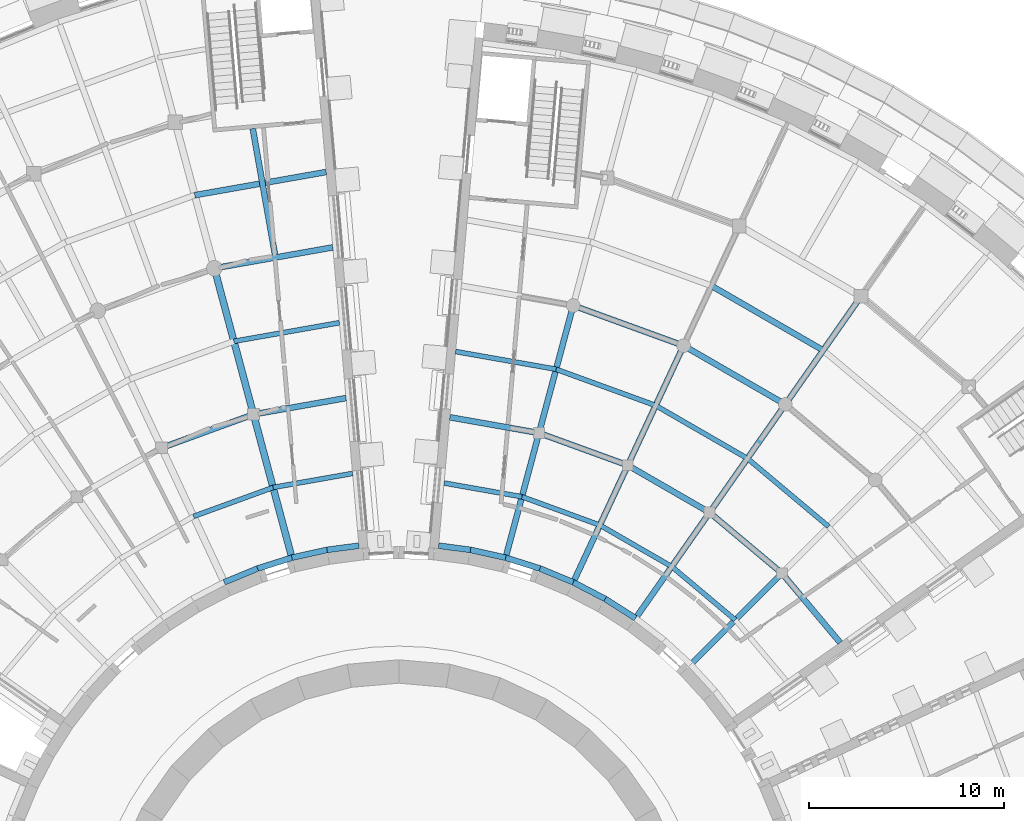
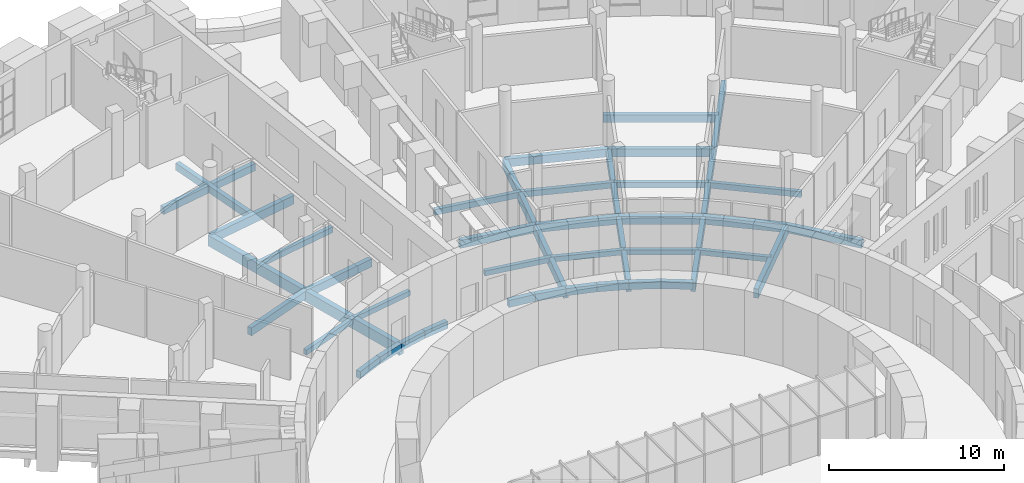
# One storey, part 26 of 85: 44 beams.
"""IFC4 building model written with IfcOpenShell, lengths in metres."""

from ifc_helpers import new_model, si_unit, direction, frame, origin, origin_2d, place, context, subcontext, project, spatial, rectangle, extrude, material, material_profile, profile_set, type_object, element, save


model = new_model("IFC4")

# Units and contexts
model_context = context("Model", 3, precision=1e-05, world=origin(), true_north=direction((0.0, 1.0)))
body_context = subcontext(model_context, "Body", "Model", "MODEL_VIEW")
ifc_project = project(units=[si_unit("LENGTHUNIT", "METRE"), si_unit("AREAUNIT", "SQUARE_METRE"), si_unit("VOLUMEUNIT", "CUBIC_METRE"), si_unit("PLANEANGLEUNIT", "RADIAN"), si_unit("MASSUNIT", "GRAM", prefix="KILO")], contexts=[model_context])

# Site, building, storey
site_placement = place(None, origin())
site = spatial("IfcSite", under=ifc_project, at=site_placement, CompositionType="ELEMENT")
building_placement = place(site_placement, origin())
building = spatial("IfcBuilding", under=site, at=building_placement, Name="Volute Hill Aquarium", CompositionType="ELEMENT")
storey_placement = place(building_placement, origin())
storey = spatial("IfcBuildingStorey", under=building, at=storey_placement, Name="L01", CompositionType="ELEMENT", Elevation=0.0)

# Beams
ifc_material_1 = material(Name="Concrete C35/45", Category="concrete")
ifc_material_profile_1 = material_profile(ifc_material_1, rectangle(XDim=0.300048828125, YDim=0.550048828125, at=origin_2d()), Name="RC beam 300x550")
ifc_profile_set_1 = profile_set([ifc_material_profile_1], Name="Concrete C35/45")
beam_type_1 = type_object("IfcBeamType", Name="Beam 300x550 C35/45", PredefinedType="BEAM", material=ifc_profile_set_1)
beam_1_placement = place(storey_placement, frame((22.612548828125, 16.07763671875, -0.56494140625), z_axis=(-0.642753784499, 0.766072824549, 0.0), x_axis=(-0.766072824549, -0.642753784499, 0.0)))
element("IfcBeam", 1, at=beam_1_placement, inside=storey, type_object=beam_type_1, Name="bm/S5/L01/ring1.17", PredefinedType="BEAM", context=body_context, shape_type="SweptSolid", body=[
    extrude(rectangle(XDim=0.300048828125, YDim=0.550048828125, at=origin_2d()), origin(), (0.0, 0.0, 1.0), 4.638427734375),
])
for number, where, z_axis, x_axis, name in (
    (2, (19.631103515625, 19.631103515625, -0.56494140625), (-0.766062524641, 0.642766060352, 0.0), (-0.642766060352, -0.766062524641, 0.0), "bm/S5/L01/ring1.18"),
    (3, (15.923828125, 22.74169921875, -0.56494140625), (-0.866020919347, 0.500007767194, 0.0), (-0.500007767194, -0.866020919347, 0.0), "bm/S5/L01/ring1.19"),
):
    element("IfcBeam", number, at=place(storey_placement, frame(where, z_axis=z_axis, x_axis=x_axis)), inside=storey, type_object=beam_type_1, Name=name, PredefinedType="BEAM", context=body_context, shape_type="SweptSolid", body=[
        extrude(rectangle(XDim=0.300048828125, YDim=0.550048828125, at=origin_2d()), origin(), (0.0, 0.0, 1.0), 4.83935546875),
    ])
beam_2_placement = place(storey_placement, frame((11.73291015625, 25.161376953125, -0.56494140625), z_axis=(-0.939697640454, 0.342006351586, 0.0), x_axis=(-0.342006351586, -0.939697640454, 0.0)))
element("IfcBeam", 4, at=beam_2_placement, inside=storey, type_object=beam_type_1, Name="bm/S5/L01/ring1.20", PredefinedType="BEAM", context=body_context, shape_type="SweptSolid", body=[
    extrude(rectangle(XDim=0.300048828125, YDim=0.550048828125, at=origin_2d()), origin(), (0.0, 0.0, 1.0), 4.839111328125),
])
beam_3_placement = place(storey_placement, frame((7.185546875, 26.81640625, -0.56494140625), z_axis=(-0.984801039026, 0.173686250269, 0.0), x_axis=(-0.173686250269, -0.984801039026, 0.0)))
element("IfcBeam", 5, at=beam_3_placement, inside=storey, type_object=beam_type_1, Name="bm/S5/L01/ring1.21", PredefinedType="BEAM", context=body_context, shape_type="SweptSolid", body=[
    extrude(rectangle(XDim=0.300048828125, YDim=0.550048828125, at=origin_2d()), origin(), (0.0, 0.0, 1.0), 4.638671875),
])
for number, where, z_axis, x_axis, name in (
    (6, (19.802734375, 28.28125, -0.56494140625), (-0.866030208905, 0.499991677195, 0.0), (-0.499991677195, -0.866030208905, 0.0), "bm/S5/L01/ring2.24"),
    (7, (14.5908203125, 31.290283203125, -0.56494140625), (-0.939687959922, 0.342032948673, 0.0), (-0.342032948673, -0.939687959922, 0.0), "bm/S5/L01/ring2.25"),
):
    element("IfcBeam", number, at=place(storey_placement, frame(where, z_axis=z_axis, x_axis=x_axis)), inside=storey, type_object=beam_type_1, Name=name, PredefinedType="BEAM", context=body_context, shape_type="SweptSolid", body=[
        extrude(rectangle(XDim=0.300048828125, YDim=0.550048828125, at=origin_2d()), origin(), (0.0, 0.0, 1.0), 6.01806640625),
    ])
beam_4_placement = place(storey_placement, frame((-2.703369140625, 28.605712890625, -0.594970703125), z_axis=(-0.984813177336, -0.17361741199, 0.0), x_axis=(0.17361741199, -0.984813177336, 0.0)))
element("IfcBeam", 8, at=beam_4_placement, inside=storey, type_object=beam_type_1, Name="bm/S6/L01/ring1.17", PredefinedType="BEAM", context=body_context, shape_type="SweptSolid", body=[
    extrude(rectangle(XDim=0.300048828125, YDim=0.550048828125, at=origin_2d()), origin(), (0.0, 0.0, 1.0), 4.810546875),
])
beam_5_placement = place(storey_placement, frame((-7.44091796875, 27.7705078125, -0.594970703125), z_axis=(-0.939692398763, -0.342020753329, 0.0), x_axis=(0.342020753329, -0.939692398763, 0.0)))
element("IfcBeam", 9, at=beam_5_placement, inside=storey, type_object=beam_type_1, Name="bm/S6/L01/ring1.18", PredefinedType="BEAM", context=body_context, shape_type="SweptSolid", body=[
    extrude(rectangle(XDim=0.300048828125, YDim=0.550048828125, at=origin_2d()), origin(), (0.0, 0.0, 1.0), 5.01171875),
])
ifc_material_2 = material(Name="Concrete C35/45", Category="concrete")
ifc_material_profile_2 = material_profile(ifc_material_2, rectangle(XDim=0.300048828125, YDim=0.60009765625, at=origin_2d()), Name="RC beam 300x600")
ifc_profile_set_2 = profile_set([ifc_material_profile_2], Name="Concrete C35/45")
beam_type_2 = type_object("IfcBeamType", Name="Beam 300x600 C35/45", PredefinedType="BEAM", material=ifc_profile_set_2)
beam_6_placement = place(storey_placement, frame((-3.37890625, 36.326171875, -0.6201171875), z_axis=(-0.984811866367, -0.173624848056, 0.0), x_axis=(0.173624848056, -0.984811866367, 0.0)))
element("IfcBeam", 10, at=beam_6_placement, inside=storey, type_object=beam_type_2, Name="bm/S6/L01/ring2.22", PredefinedType="BEAM", context=body_context, shape_type="SweptSolid", body=[
    extrude(rectangle(XDim=0.300048828125, YDim=0.60009765625, at=origin_2d()), origin(), (0.0, 0.0, 1.0), 6.16162109375),
])
ifc_material_3 = material(Name="Concrete C35/45", Category="concrete")
ifc_material_profile_3 = material_profile(ifc_material_3, rectangle(XDim=0.300048828125, YDim=0.64990234375, at=origin_2d()), Name="RC beam 300x650")
ifc_profile_set_3 = profile_set([ifc_material_profile_3], Name="Concrete C35/45")
beam_type_3 = type_object("IfcBeamType", Name="Beam 300x650 C35/45", PredefinedType="BEAM", material=ifc_profile_set_3)
beam_7_placement = place(storey_placement, frame((14.84912109375, 14.84912109375, -0.614990234375), z_axis=(0.707106781187, 0.707106781187, 0.0), x_axis=(-0.707106781187, 0.707106781187, 0.0)))
element("IfcBeam", 11, at=beam_7_placement, inside=storey, type_object=beam_type_3, Name="bm/S5/L01/rad1.1", PredefinedType="BEAM", context=body_context, shape_type="SweptSolid", body=[
    extrude(rectangle(XDim=0.300048828125, YDim=0.64990234375, at=origin_2d()), origin(), (0.0, 0.0, 1.0), 6.7626953125),
])
beam_8_placement = place(storey_placement, frame((12.045166015625, 17.2021484375, -0.614990234375), z_axis=(0.573559259618, 0.819164071299, 0.0), x_axis=(-0.819164071299, 0.573559259618, 0.0)))
element("IfcBeam", 12, at=beam_8_placement, inside=storey, type_object=beam_type_3, Name="bm/S5/L01/rad2.5", PredefinedType="BEAM", context=body_context, shape_type="SweptSolid", body=[
    extrude(rectangle(XDim=0.300048828125, YDim=0.64990234375, at=origin_2d()), origin(), (0.0, 0.0, 1.0), 6.762451171875),
])
beam_9_placement = place(storey_placement, frame((15.923828125, 22.74169921875, -0.614990234375), z_axis=(0.573583484669, 0.819147108959, 0.0), x_axis=(-0.819147108959, 0.573583484669, 0.0)))
element("IfcBeam", 13, at=beam_9_placement, inside=storey, type_object=beam_type_3, Name="bm/S5/L01/rad2.6", PredefinedType="BEAM", context=body_context, shape_type="SweptSolid", body=[
    extrude(rectangle(XDim=0.300048828125, YDim=0.64990234375, at=origin_2d()), origin(), (0.0, 0.0, 1.0), 6.7626953125),
])
for number, where, z_axis, x_axis, name in (
    (14, (19.802734375, 28.28125, -0.614990234375), (0.573559259618, 0.819164071299, 0.0), (-0.819164071299, 0.573559259618, 0.0), "bm/S5/L01/rad2.7"),
    (15, (8.875, 19.032470703125, -0.614990234375), (0.422612703053, 0.906310379074, 0.0), (-0.906310379074, 0.422612703053, 0.0), "bm/S5/L01/rad3.9"),
    (16, (11.73291015625, 25.161376953125, -0.614990234375), (0.422612703053, 0.906310379074, 0.0), (-0.906310379074, 0.422612703053, 0.0), "bm/S5/L01/rad3.10"),
    (17, (5.435302734375, 20.284423828125, -0.614990234375), (0.258819697111, 0.965925651584, 0.0), (-0.965925651584, 0.258819697111, 0.0), "bm/S5/L01/rad4.13"),
):
    element("IfcBeam", number, at=place(storey_placement, frame(where, z_axis=z_axis, x_axis=x_axis)), inside=storey, type_object=beam_type_3, Name=name, PredefinedType="BEAM", context=body_context, shape_type="SweptSolid", body=[
        extrude(rectangle(XDim=0.300048828125, YDim=0.64990234375, at=origin_2d()), origin(), (0.0, 0.0, 1.0), 6.762451171875),
    ])
beam_10_placement = place(storey_placement, frame((7.185546875, 26.81640625, -0.614990234375), z_axis=(0.258810671738, 0.965928069886, 0.0), x_axis=(-0.965928069886, 0.258810671738, 0.0)))
element("IfcBeam", 18, at=beam_10_placement, inside=storey, type_object=beam_type_3, Name="bm/S5/L01/rad4.14", PredefinedType="BEAM", context=body_context, shape_type="SweptSolid", body=[
    extrude(rectangle(XDim=0.300048828125, YDim=0.64990234375, at=origin_2d()), origin(), (0.0, 0.0, 1.0), 6.7626953125),
])
ifc_material_4 = material(Name="Concrete C35/45", Category="concrete")
ifc_material_profile_4 = material_profile(ifc_material_4, rectangle(XDim=0.35009765625, YDim=0.75, at=origin_2d()), Name="RC beam 350x750")
ifc_profile_set_4 = profile_set([ifc_material_profile_4], Name="Concrete C35/45")
beam_type_4 = type_object("IfcBeamType", Name="Beam 350x750 C35/45", PredefinedType="BEAM", material=ifc_profile_set_4)
for number, where, z_axis, x_axis, name in (
    (19, (-5.435302734375, 20.284423828125, -0.695068359375), (-0.258785947631, 0.965934694122, 0.0), (-0.965934694122, -0.258785947631, 0.0), "bm/S6/L01/rad1.1"),
    (20, (-7.44091796875, 27.7705078125, -0.695068359375), (-0.258852606365, 0.965916832951, 0.0), (-0.965916832951, -0.258852606365, 0.0), "bm/S6/L01/rad1.2"),
):
    element("IfcBeam", number, at=place(storey_placement, frame(where, z_axis=z_axis, x_axis=x_axis)), inside=storey, type_object=beam_type_4, Name=name, PredefinedType="BEAM", context=body_context, shape_type="SweptSolid", body=[
        extrude(rectangle(XDim=0.35009765625, YDim=0.75, at=origin_2d()), origin(), (0.0, 0.0, 1.0), 7.75),
    ])
ifc_material_5 = material(Name="Concrete C35/45", Category="concrete")
ifc_material_profile_5 = material_profile(ifc_material_5, rectangle(XDim=0.300048828125, YDim=0.5, at=origin_2d()), Name="RC edge beam 300x500")
ifc_profile_set_5 = profile_set([ifc_material_profile_5], Name="Concrete C35/45")
beam_type_5 = type_object("IfcBeamType", Name="Edge beam 300x500 C35/45", PredefinedType="BEAM", material=ifc_profile_set_5)
beam_11_placement = place(storey_placement, frame((12.131103515625, 17.3251953125, -0.5400390625), z_axis=(-0.843334400185, 0.537389141558, 0.0), x_axis=(-0.537389141558, -0.843334400185, 0.0)))
element("IfcBeam", 21, at=beam_11_placement, inside=storey, type_object=beam_type_5, Name="bm/S5/L01/edgeD.36", PredefinedType="BEAM", context=body_context, shape_type="SweptSolid", body=[
    extrude(rectangle(XDim=0.300048828125, YDim=0.5, at=origin_2d()), origin(), (0.0, 0.0, 1.0), 1.844970703125),
])
beam_12_placement = place(storey_placement, frame((10.5751953125, 18.316650390625, -0.5400390625), z_axis=(-0.887058600994, 0.461656840523, 0.0), x_axis=(-0.461656840523, -0.887058600994, 0.0)))
element("IfcBeam", 22, at=beam_12_placement, inside=storey, type_object=beam_type_5, Name="bm/S5/L01/edgeD.37", PredefinedType="BEAM", context=body_context, shape_type="SweptSolid", body=[
    extrude(rectangle(XDim=0.300048828125, YDim=0.5, at=origin_2d()), origin(), (0.0, 0.0, 1.0), 1.84521484375),
])
beam_13_placement = place(storey_placement, frame((8.9384765625, 19.16845703125, -0.5400390625), z_axis=(-0.923881361379, 0.382679017059, 0.0), x_axis=(-0.382679017059, -0.923881361379, 0.0)))
element("IfcBeam", 23, at=beam_13_placement, inside=storey, type_object=beam_type_5, Name="bm/S5/L01/edgeD.38", PredefinedType="BEAM", context=body_context, shape_type="SweptSolid", body=[
    extrude(rectangle(XDim=0.300048828125, YDim=0.5, at=origin_2d()), origin(), (0.0, 0.0, 1.0), 1.844970703125),
])
for number, where, z_axis, x_axis, name in (
    (24, (7.23388671875, 19.87451171875, -0.5400390625), (-0.953704567191, 0.300745072312, 0.0), (-0.300745072312, -0.953704567191, 0.0), "bm/S5/L01/edgeD.39"),
    (25, (5.47412109375, 20.429443359375, -0.5400390625), (-0.976292789523, 0.216454127071, 0.0), (-0.216454127071, -0.976292789523, 0.0), "bm/S5/L01/edgeD.40"),
):
    element("IfcBeam", number, at=place(storey_placement, frame(where, z_axis=z_axis, x_axis=x_axis)), inside=storey, type_object=beam_type_5, Name=name, PredefinedType="BEAM", context=body_context, shape_type="SweptSolid", body=[
        extrude(rectangle(XDim=0.300048828125, YDim=0.5, at=origin_2d()), origin(), (0.0, 0.0, 1.0), 1.84521484375),
    ])
for number, where, z_axis, x_axis, name in (
    (26, (3.672607421875, 20.828857421875, -0.5400390625), (-0.99143407694, 0.130608081992, 0.0), (-0.130608081992, -0.99143407694, 0.0), "bm/S5/L01/edgeD.41"),
    (27, (-2.041748046875, 21.043701171875, -0.570068359375), (-0.99143407694, -0.130608081992, 0.0), (0.130608081992, -0.99143407694, 0.0), "bm/S6/L01/edgeD.32"),
):
    element("IfcBeam", number, at=place(storey_placement, frame(where, z_axis=z_axis, x_axis=x_axis)), inside=storey, type_object=beam_type_5, Name=name, PredefinedType="BEAM", context=body_context, shape_type="SweptSolid", body=[
        extrude(rectangle(XDim=0.300048828125, YDim=0.5, at=origin_2d()), origin(), (0.0, 0.0, 1.0), 1.64501953125),
    ])
for number, where, z_axis, x_axis, name in (
    (28, (-3.672607421875, 20.828857421875, -0.570068359375), (-0.976292789523, -0.216454127071, 0.0), (0.216454127071, -0.976292789523, 0.0), "bm/S6/L01/edgeD.33"),
    (29, (-5.47412109375, 20.429443359375, -0.570068359375), (-0.953704567191, -0.300745072312, 0.0), (0.300745072312, -0.953704567191, 0.0), "bm/S6/L01/edgeD.34"),
):
    element("IfcBeam", number, at=place(storey_placement, frame(where, z_axis=z_axis, x_axis=x_axis)), inside=storey, type_object=beam_type_5, Name=name, PredefinedType="BEAM", context=body_context, shape_type="SweptSolid", body=[
        extrude(rectangle(XDim=0.300048828125, YDim=0.5, at=origin_2d()), origin(), (0.0, 0.0, 1.0), 1.84521484375),
    ])
beam_14_placement = place(storey_placement, frame((-7.23388671875, 19.87451171875, -0.570068359375), z_axis=(-0.923881361379, -0.382679017059, 0.0), x_axis=(0.382679017059, -0.923881361379, 0.0)))
element("IfcBeam", 30, at=beam_14_placement, inside=storey, type_object=beam_type_5, Name="bm/S6/L01/edgeD.35", PredefinedType="BEAM", context=body_context, shape_type="SweptSolid", body=[
    extrude(rectangle(XDim=0.300048828125, YDim=0.5, at=origin_2d()), origin(), (0.0, 0.0, 1.0), 1.844970703125),
])
ifc_material_6 = material(Name="Concrete C35/45", Category="concrete")
ifc_material_profile_6 = material_profile(ifc_material_6, rectangle(XDim=0.25, YDim=0.35009765625, at=origin_2d()), Name="RC joist 250x350")
ifc_profile_set_6 = profile_set([ifc_material_profile_6], Name="Concrete C35/45")
beam_type_6 = type_object("IfcBeamType", Name="Joist 250x350 C35/45", PredefinedType="BEAM", material=ifc_profile_set_6)
beam_15_placement = place(storey_placement, frame((17.239990234375, 17.239990234375, -0.465087890625), z_axis=(-0.766003551743, 0.642836338983, 0.0), x_axis=(-0.642836338983, -0.766003551743, 0.0)))
element("IfcBeam", 31, at=beam_15_placement, inside=storey, type_object=beam_type_6, Name="bm/S5/L01/jst2", PredefinedType="BEAM", context=body_context, shape_type="SweptSolid", body=[
    extrude(rectangle(XDim=0.25, YDim=0.35009765625, at=origin_2d()), origin(), (0.0, 0.0, 1.0), 4.249755859375),
])
for number, where, z_axis, x_axis, name in (
    (32, (13.984619140625, 19.971923828125, -0.465087890625), (-0.866028703517, 0.499994284652, 0.0), (-0.499994284652, -0.866028703517, 0.0), "bm/S5/L01/jst3"),
    (33, (10.303955078125, 22.096923828125, -0.465087890625), (-0.939689391499, 0.342029015588, 0.0), (-0.342029015588, -0.939689391499, 0.0), "bm/S5/L01/jst4"),
):
    element("IfcBeam", number, at=place(storey_placement, frame(where, z_axis=z_axis, x_axis=x_axis)), inside=storey, type_object=beam_type_6, Name=name, PredefinedType="BEAM", context=body_context, shape_type="SweptSolid", body=[
        extrude(rectangle(XDim=0.25, YDim=0.35009765625, at=origin_2d()), origin(), (0.0, 0.0, 1.0), 4.25),
    ])
beam_16_placement = place(storey_placement, frame((6.310302734375, 23.550537109375, -0.465087890625), z_axis=(-0.984807222766, 0.173651184814, 0.0), x_axis=(-0.173651184814, -0.984807222766, 0.0)))
element("IfcBeam", 34, at=beam_16_placement, inside=storey, type_object=beam_type_6, Name="bm/S5/L01/jst5", PredefinedType="BEAM", context=body_context, shape_type="SweptSolid", body=[
    extrude(rectangle(XDim=0.25, YDim=0.35009765625, at=origin_2d()), origin(), (0.0, 0.0, 1.0), 4.049072265625),
])
beam_17_placement = place(storey_placement, frame((-2.36572265625, 24.745361328125, -0.4951171875), z_axis=(-0.984809106321, -0.173640502499, 0.0), x_axis=(0.173640502499, -0.984809106321, 0.0)))
element("IfcBeam", 35, at=beam_17_placement, inside=storey, type_object=beam_type_6, Name="bm/S6/L01/jst1", PredefinedType="BEAM", context=body_context, shape_type="SweptSolid", body=[
    extrude(rectangle(XDim=0.25, YDim=0.35009765625, at=origin_2d()), origin(), (0.0, 0.0, 1.0), 4.135009765625),
])
beam_18_placement = place(storey_placement, frame((-6.43798828125, 24.02734375, -0.4951171875), z_axis=(-0.939704621376, -0.341987170176, 0.0), x_axis=(0.341987170176, -0.939704621376, 0.0)))
element("IfcBeam", 36, at=beam_18_placement, inside=storey, type_object=beam_type_6, Name="bm/S6/L01/jst2", PredefinedType="BEAM", context=body_context, shape_type="SweptSolid", body=[
    extrude(rectangle(XDim=0.25, YDim=0.35009765625, at=origin_2d()), origin(), (0.0, 0.0, 1.0), 4.336181640625),
])
ifc_material_7 = material(Name="Concrete C35/45", Category="concrete")
ifc_material_profile_7 = material_profile(ifc_material_7, rectangle(XDim=0.25, YDim=0.39990234375, at=origin_2d()), Name="RC joist 250x400")
ifc_profile_set_7 = profile_set([ifc_material_profile_7], Name="Concrete C35/45")
beam_type_7 = type_object("IfcBeamType", Name="Joist 250x400 C35/45", PredefinedType="BEAM", material=ifc_profile_set_7)
for number, where, z_axis, x_axis, name in (
    (37, (22.02197265625, 22.02197265625, -0.489990234375), (-0.766049383872, 0.64278172148, 0.0), (-0.64278172148, -0.766049383872, 0.0), "bm/S5/L01/jst7"),
    (38, (17.86328125, 25.511474609375, -0.489990234375), (-0.866026068486, 0.499998848701, 0.0), (-0.499998848701, -0.866026068486, 0.0), "bm/S5/L01/jst8"),
    (39, (13.161865234375, 28.225830078125, -0.489990234375), (-0.939694905115, 0.342013867117, 0.0), (-0.342013867117, -0.939694905115, 0.0), "bm/S5/L01/jst9"),
):
    element("IfcBeam", number, at=place(storey_placement, frame(where, z_axis=z_axis, x_axis=x_axis)), inside=storey, type_object=beam_type_7, Name=name, PredefinedType="BEAM", context=body_context, shape_type="SweptSolid", body=[
        extrude(rectangle(XDim=0.25, YDim=0.39990234375, at=origin_2d()), origin(), (0.0, 0.0, 1.0), 5.4287109375),
    ])
beam_19_placement = place(storey_placement, frame((8.060546875, 30.08251953125, -0.489990234375), z_axis=(-0.984810814514, 0.17363081413, 0.0), x_axis=(-0.17363081413, -0.984810814514, 0.0)))
element("IfcBeam", 40, at=beam_19_placement, inside=storey, type_object=beam_type_7, Name="bm/S5/L01/jst10", PredefinedType="BEAM", context=body_context, shape_type="SweptSolid", body=[
    extrude(rectangle(XDim=0.25, YDim=0.39990234375, at=origin_2d()), origin(), (0.0, 0.0, 1.0), 5.227783203125),
])
beam_20_placement = place(storey_placement, frame((-3.041259765625, 32.466064453125, -0.52001953125), z_axis=(-0.984801025602, -0.173686326386, 0.0), x_axis=(0.173686326386, -0.984801025602, 0.0)))
element("IfcBeam", 41, at=beam_20_placement, inside=storey, type_object=beam_type_7, Name="bm/S6/L01/jst6", PredefinedType="BEAM", context=body_context, shape_type="SweptSolid", body=[
    extrude(rectangle(XDim=0.25, YDim=0.39990234375, at=origin_2d()), origin(), (0.0, 0.0, 1.0), 5.486328125),
])
ifc_material_8 = material(Name="Concrete C35/45", Category="concrete")
ifc_material_profile_8 = material_profile(ifc_material_8, rectangle(XDim=0.300048828125, YDim=0.5, at=origin_2d()), Name="RC joist 300x500")
ifc_profile_set_8 = profile_set([ifc_material_profile_8], Name="Concrete C35/45")
beam_type_8 = type_object("IfcBeamType", Name="Joist 300x500 C35/45", PredefinedType="BEAM", material=ifc_profile_set_8)
beam_21_placement = place(storey_placement, frame((21.7421875, 31.051025390625, -0.5400390625), z_axis=(-0.866024373554, 0.500001784407, 0.0), x_axis=(-0.500001784407, -0.866024373554, 0.0)))
element("IfcBeam", 42, at=beam_21_placement, inside=storey, type_object=beam_type_8, Name="bm/S5/L01/jst13", PredefinedType="BEAM", context=body_context, shape_type="SweptSolid", body=[
    extrude(rectangle(XDim=0.300048828125, YDim=0.5, at=origin_2d()), origin(), (0.0, 0.0, 1.0), 6.607421875),
])
beam_22_placement = place(storey_placement, frame((-3.716552734375, 40.1865234375, -0.570068359375), z_axis=(-0.984807275484, -0.173650885843, 0.0), x_axis=(0.173650885843, -0.984807275484, 0.0)))
element("IfcBeam", 43, at=beam_22_placement, inside=storey, type_object=beam_type_8, Name="bm/S6/L01/jst11", PredefinedType="BEAM", context=body_context, shape_type="SweptSolid", body=[
    extrude(rectangle(XDim=0.300048828125, YDim=0.5, at=origin_2d()), origin(), (0.0, 0.0, 1.0), 6.8369140625),
])
beam_23_placement = place(storey_placement, frame((-6.338134765625, 35.945556640625, -0.570068359375), z_axis=(-0.173626192021, 0.984811629422, 0.0), x_axis=(-0.984811629422, -0.173626192021, 0.0)))
element("IfcBeam", 44, at=beam_23_placement, inside=storey, type_object=beam_type_8, Name="bm/S6/L01/rjst1", PredefinedType="BEAM", context=body_context, shape_type="SweptSolid", body=[
    extrude(rectangle(XDim=0.300048828125, YDim=0.5, at=origin_2d()), origin(), (0.0, 0.0, 1.0), 6.563720703125),
])

save(model, "model.ifc")
